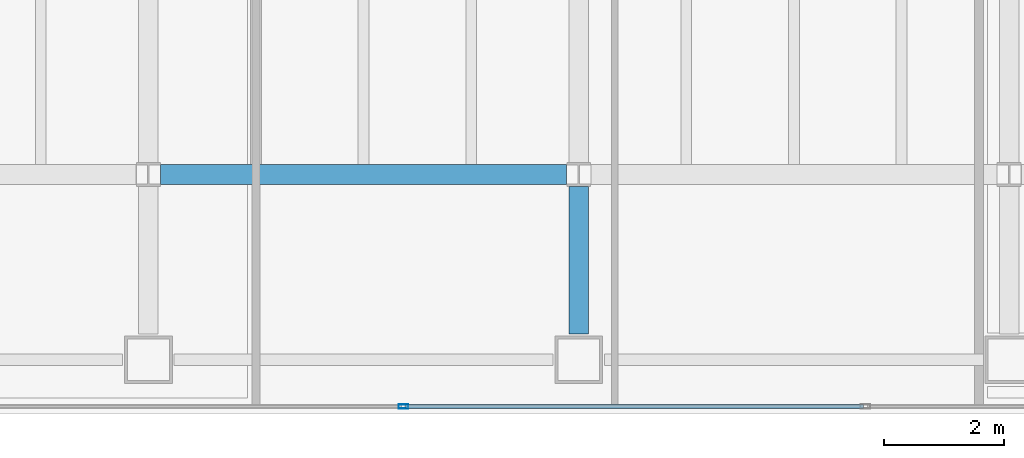
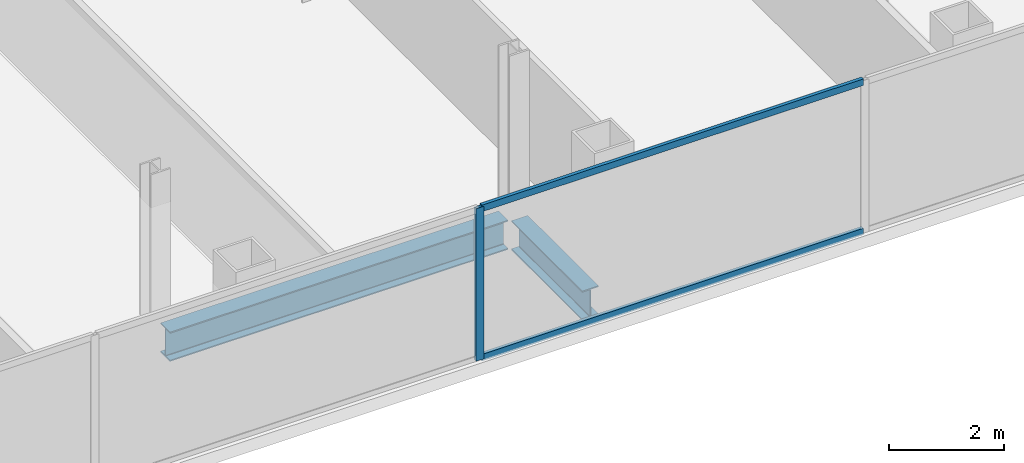
# One storey, part 6 of 23: 3 members, 2 beams, 1 element without a shape of its own.
"""IFC4 building model written with IfcOpenShell, lengths in metres."""

from ifc_helpers import new_model, si_unit, direction, frame, origin, origin_2d, place, context, subcontext, project, spatial, hollow_rectangle, i_section, extrude, material, material_profile, profile_set, type_object, element, aggregate, save


model = new_model("IFC4")

# Units and contexts
model_context = context("Model", 3, precision=1e-05, world=origin(), true_north=direction((0.0, 1.0)))
body_context = subcontext(model_context, "Body", "Model", "MODEL_VIEW")
ifc_project = project(units=[si_unit("LENGTHUNIT", "METRE"), si_unit("AREAUNIT", "SQUARE_METRE"), si_unit("VOLUMEUNIT", "CUBIC_METRE"), si_unit("PLANEANGLEUNIT", "RADIAN"), si_unit("MASSUNIT", "GRAM", prefix="KILO")], contexts=[model_context])

# Site, building, storey
site_placement = place(None, origin())
site = spatial("IfcSite", under=ifc_project, at=site_placement, CompositionType="ELEMENT")
building_placement = place(site_placement, origin())
building = spatial("IfcBuilding", under=site, at=building_placement, Name="Cobrela Telecom Tower", CompositionType="ELEMENT")
storey_placement = place(building_placement, frame((0.0, 0.0, 187.25)))
storey = spatial("IfcBuildingStorey", under=building, at=storey_placement, Name="L47", CompositionType="ELEMENT", Elevation=187.25)

# Beams
ifc_material_1 = material(Name="Steel ASTM A992 Grade 50", Category="steel")
ifc_material_profile_1 = material_profile(ifc_material_1, i_section(OverallWidth=0.327880859375, OverallDepth=0.6220703125, WebThickness=0.015380859375, FlangeThickness=0.0244140625, FilletRadius=0.014892578125, at=origin_2d()), Name="W24X131")
ifc_profile_set_1 = profile_set([ifc_material_profile_1], Name="Steel ASTM A992 Grade 50")
beam_type = type_object("IfcBeamType", Name="BM-GIRD-06", PredefinedType="USERDEFINED", material=ifc_profile_set_1)
beam_1_placement = place(storey_placement, frame((21.804443359375, 7.199951171875, -0.571044921875), z_axis=(1.0, 0.0, 0.0), x_axis=(0.0, 1.0, 0.0)))
element("IfcBeam", 1, at=beam_1_placement, inside=storey, type_object=beam_type, Name="L47 Primary Girder X08", ObjectType="GIRDER", PredefinedType="USERDEFINED", context=body_context, shape_type="SweptSolid", body=[
    extrude(i_section(OverallWidth=0.327880859375, OverallDepth=0.6220703125, WebThickness=0.015380859375, FlangeThickness=0.0244140625, FilletRadius=0.014892578125, at=origin_2d()), origin(), (0.0, 0.0, 1.0), 6.791015625),
])
beam_2_placement = place(storey_placement, frame((28.800048828125, 4.530029296875, -0.571044921875), z_axis=(0.0, 1.0, 0.0), x_axis=(-1.0, 0.0, 0.0)))
element("IfcBeam", 2, at=beam_2_placement, inside=storey, type_object=beam_type, Name="L47 Primary Girder Y36", ObjectType="GIRDER", PredefinedType="USERDEFINED", context=body_context, shape_type="SweptSolid", body=[
    extrude(i_section(OverallWidth=0.327880859375, OverallDepth=0.6220703125, WebThickness=0.015380859375, FlangeThickness=0.0244140625, FilletRadius=0.014892578125, at=origin_2d()), origin(), (0.0, 0.0, 1.0), 2.465576171875),
])

# Curtain wall, members
ifc_material_2 = material(Name="Anodized Bronze Aluminium 6063-T6", Category="aluminium")
curtain_wall_type = type_object("IfcCurtainWallType", Name="CW-SYS-OFF-LO", PredefinedType="USERDEFINED", material=ifc_material_2)
curtain_wall_placement = place(storey_placement, origin())
curtain_wall = element("IfcCurtainWall", 3, at=curtain_wall_placement, inside=storey, type_object=curtain_wall_type, Name="L47 Unitised Bronze Curtain Wall 17", ObjectType="UNITISED CURTAIN WALL", PredefinedType="USERDEFINED")
ifc_material_profile_2 = material_profile(ifc_material_2, hollow_rectangle(XDim=0.070068359375, YDim=0.159912109375, WallThickness=0.00390625, at=origin_2d()), Name="ALU 70x160x4")
ifc_profile_set_2 = profile_set([ifc_material_profile_2], Name="Anodized Bronze Aluminium 6063-T6")
member_type_1 = type_object("IfcMemberType", Name="CW-SYS-OFF-LO-MUL", PredefinedType="MULLION", material=ifc_profile_set_2)
member_1_placement = place(storey_placement, frame((25.865966796875, 3.320068359375, 0.0), z_axis=(0.0, 0.0, 1.0), x_axis=(0.0, -1.0, 0.0)))
member_1 = element("IfcMember", 4, at=member_1_placement, type_object=member_type_1, Name="CW-OFF-LO mullion 3", PredefinedType="MULLION", context=body_context, shape_type="SweptSolid", body=[
    extrude(hollow_rectangle(XDim=0.070068359375, YDim=0.159912109375, WallThickness=0.00390625, at=origin_2d()), origin(), (0.0, 0.0, 1.0), 3.239990234375),
])
ifc_material_profile_3 = material_profile(ifc_material_2, hollow_rectangle(XDim=0.070068359375, YDim=0.139892578125, WallThickness=0.00390625, at=origin_2d()), Name="ALU 70x140x4")
ifc_profile_set_3 = profile_set([ifc_material_profile_3], Name="Anodized Bronze Aluminium 6063-T6")
member_type_2 = type_object("IfcMemberType", Name="CW-SYS-OFF-LO-TRN", PredefinedType="USERDEFINED", material=ifc_profile_set_3)
member_2_placement = place(storey_placement, frame((33.56298828125, 3.320068359375, 0.034912109375), z_axis=(-1.0, 0.0, 0.0), x_axis=(0.0, -1.0, 0.0)))
member_2 = element("IfcMember", 5, at=member_2_placement, type_object=member_type_2, Name="CW-OFF-LO transom 2.1", ObjectType="TRANSOM", PredefinedType="USERDEFINED", context=body_context, shape_type="SweptSolid", body=[
    extrude(hollow_rectangle(XDim=0.070068359375, YDim=0.139892578125, WallThickness=0.00390625, at=origin_2d()), origin(), (0.0, 0.0, 1.0), 7.662109375),
])
member_3_placement = place(storey_placement, frame((33.56298828125, 3.320068359375, 3.205078125), z_axis=(-1.0, 0.0, 0.0), x_axis=(0.0, -1.0, 0.0)))
member_3 = element("IfcMember", 6, at=member_3_placement, type_object=member_type_2, Name="CW-OFF-LO transom 2.2", ObjectType="TRANSOM", PredefinedType="USERDEFINED", context=body_context, shape_type="SweptSolid", body=[
    extrude(hollow_rectangle(XDim=0.070068359375, YDim=0.139892578125, WallThickness=0.00390625, at=origin_2d()), origin(), (0.0, 0.0, 1.0), 7.662109375),
])
aggregate(curtain_wall, [member_1, member_2, member_3])

save(model, "model.ifc")
